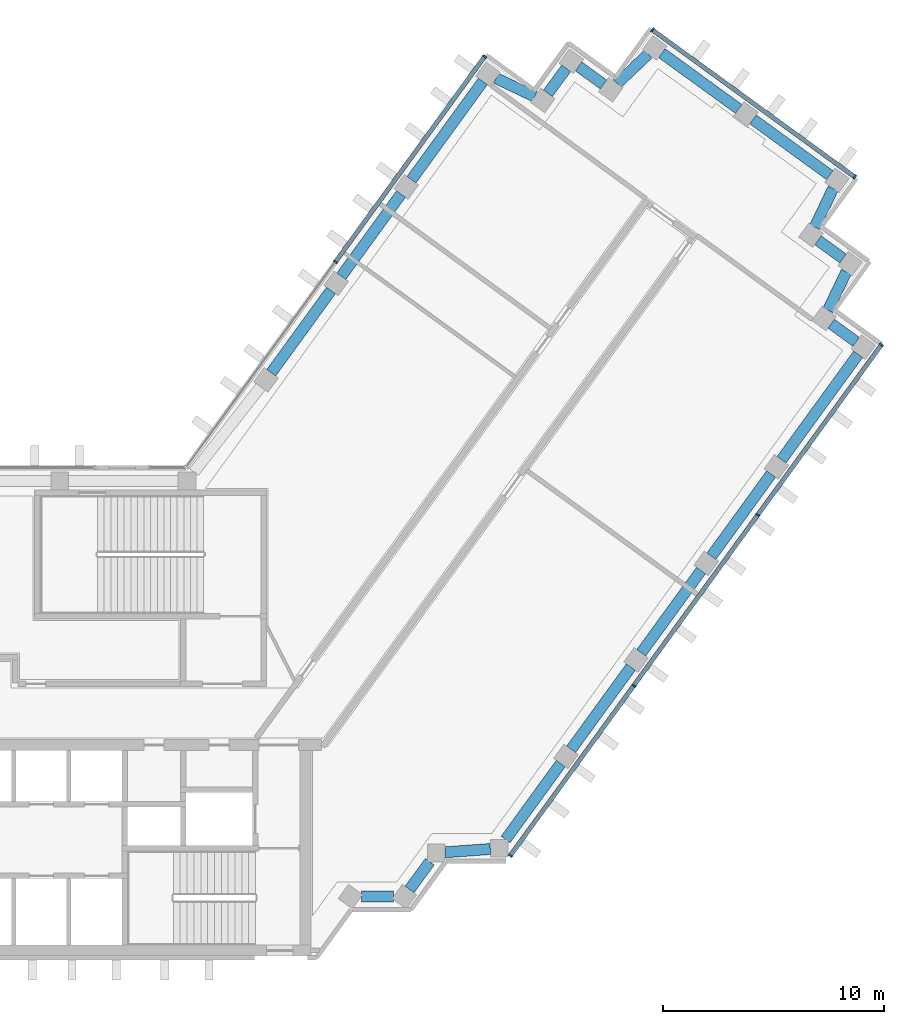
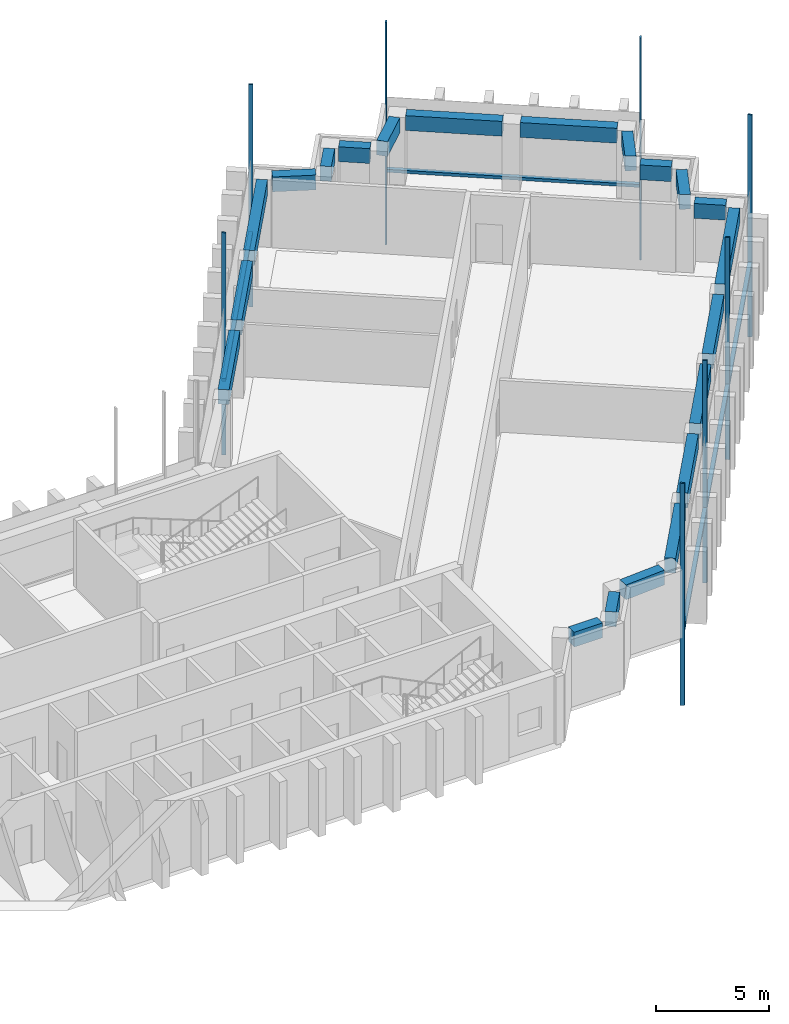
# One storey, part 5 of 13: 21 beams, 13 members, 3 elements without a shape of their own.
"""IFC4 building model written with IfcOpenShell, lengths in metres."""

from ifc_helpers import new_model, si_unit, direction, frame, origin, origin_2d, place, context, subcontext, project, spatial, rectangle, extrude, material, material_profile, profile_set, type_object, element, aggregate, save


model = new_model("IFC4")

# Units and contexts
model_context = context("Model", 3, precision=1e-05, world=origin(), true_north=direction((0.0, 1.0)))
body_context = subcontext(model_context, "Body", "Model", "MODEL_VIEW")
ifc_project = project(units=[si_unit("LENGTHUNIT", "METRE"), si_unit("AREAUNIT", "SQUARE_METRE"), si_unit("VOLUMEUNIT", "CUBIC_METRE"), si_unit("PLANEANGLEUNIT", "RADIAN"), si_unit("MASSUNIT", "GRAM", prefix="KILO")], contexts=[model_context])

# Site, building, storey
site_placement = place(None, origin())
site = spatial("IfcSite", under=ifc_project, at=site_placement, CompositionType="ELEMENT")
building_placement = place(site_placement, origin())
building = spatial("IfcBuilding", under=site, at=building_placement, Name="Quipu Civic Tower", CompositionType="ELEMENT")
storey_placement = place(building_placement, frame((0.0, 0.0, 172.0)))
storey = spatial("IfcBuildingStorey", under=building, at=storey_placement, Name="L40", CompositionType="ELEMENT", Elevation=172.0)

# Curtain wall, members
ifc_material_1 = material(Name="Insulated glass unit", Category="glass")
curtain_wall_type = type_object("IfcCurtainWallType", Name="Office curtain wall CW1", PredefinedType="NOTDEFINED", material=ifc_material_1)
curtain_wall_1_placement = place(storey_placement, origin())
curtain_wall_1 = element("IfcCurtainWall", 1, at=curtain_wall_1_placement, inside=storey, type_object=curtain_wall_type, Name="Office curtain wall CW1 L39 run 20", PredefinedType="NOTDEFINED")
ifc_material_2 = material(Name="Anodised aluminium", Category="aluminium")
ifc_material_profile_1 = material_profile(ifc_material_2, rectangle(XDim=0.199951171875, YDim=0.080078125, at=origin_2d()), Name="RECT 200x80")
ifc_profile_set_1 = profile_set([ifc_material_profile_1], Name="Anodised aluminium")
member_type_1 = type_object("IfcMemberType", Name="Mullion CW1", PredefinedType="MULLION", material=ifc_profile_set_1)
member_1_placement = place(storey_placement, frame((29.029296875, -6.45654296875, -3.919921875), z_axis=(0.0, 0.0, 1.0), x_axis=(-0.80901667469, 0.5877856923, 0.0)))
member_1 = element("IfcMember", 2, at=member_1_placement, type_object=member_type_1, Name="CW1 mullion 1", PredefinedType="MULLION", context=body_context, shape_type="SweptSolid", body=[
    extrude(rectangle(XDim=0.199951171875, YDim=0.080078125, at=origin_2d()), origin(), (0.0, 0.0, 1.0), 12.0),
])
member_2_placement = place(storey_placement, frame((34.620361328125, 1.23876953125, -3.919921875), z_axis=(0.0, 0.0, 1.0), x_axis=(-0.80901667469, 0.5877856923, 0.0)))
member_2 = element("IfcMember", 3, at=member_2_placement, type_object=member_type_1, Name="CW1 mullion 2", PredefinedType="MULLION", context=body_context, shape_type="SweptSolid", body=[
    extrude(rectangle(XDim=0.199951171875, YDim=0.080078125, at=origin_2d()), origin(), (0.0, 0.0, 1.0), 12.0),
])
member_3_placement = place(storey_placement, frame((40.23486328125, 8.966552734375, -3.919921875), z_axis=(0.0, 0.0, 1.0), x_axis=(-0.80901667469, 0.5877856923, 0.0)))
member_3 = element("IfcMember", 4, at=member_3_placement, type_object=member_type_1, Name="CW1 mullion 3", PredefinedType="MULLION", context=body_context, shape_type="SweptSolid", body=[
    extrude(rectangle(XDim=0.199951171875, YDim=0.080078125, at=origin_2d()), origin(), (0.0, 0.0, 1.0), 12.0),
])
member_4_placement = place(storey_placement, frame((45.825927734375, 16.661865234375, -3.919921875), z_axis=(0.0, 0.0, 1.0), x_axis=(-0.80901667469, 0.5877856923, 0.0)))
member_4 = element("IfcMember", 5, at=member_4_placement, type_object=member_type_1, Name="CW1 mullion 4", PredefinedType="MULLION", context=body_context, shape_type="SweptSolid", body=[
    extrude(rectangle(XDim=0.199951171875, YDim=0.080078125, at=origin_2d()), origin(), (0.0, 0.0, 1.0), 12.0),
])

curtain_wall_2_placement = place(storey_placement, origin())
curtain_wall_2 = element("IfcCurtainWall", 6, at=curtain_wall_2_placement, inside=storey, type_object=curtain_wall_type, Name="Office curtain wall CW1 L39 run 25", PredefinedType="NOTDEFINED")
member_5_placement = place(storey_placement, frame((44.62255859375, 24.260498046875, -3.919921875), z_axis=(0.0, 0.0, 1.0), x_axis=(-0.587787753918, -0.809015176832, 0.0)))
member_5 = element("IfcMember", 7, at=member_5_placement, type_object=member_type_1, Name="CW1 mullion 1", PredefinedType="MULLION", context=body_context, shape_type="SweptSolid", body=[
    extrude(rectangle(XDim=0.199951171875, YDim=0.080078125, at=origin_2d()), origin(), (0.0, 0.0, 1.0), 12.0),
])
member_6_placement = place(storey_placement, frame((35.46435546875, 30.914306640625, -3.919921875), z_axis=(0.0, 0.0, 1.0), x_axis=(-0.587787753918, -0.809015176832, 0.0)))
member_6 = element("IfcMember", 8, at=member_6_placement, type_object=member_type_1, Name="CW1 mullion 2", PredefinedType="MULLION", context=body_context, shape_type="SweptSolid", body=[
    extrude(rectangle(XDim=0.199951171875, YDim=0.080078125, at=origin_2d()), origin(), (0.0, 0.0, 1.0), 12.0),
])

curtain_wall_3_placement = place(storey_placement, origin())
curtain_wall_3 = element("IfcCurtainWall", 9, at=curtain_wall_3_placement, inside=storey, type_object=curtain_wall_type, Name="Office curtain wall CW1 L39 run 30", PredefinedType="NOTDEFINED")
member_7_placement = place(storey_placement, frame((27.865966796875, 29.7109375, -3.919921875), z_axis=(0.0, 0.0, 1.0), x_axis=(0.809014469803, -0.587788727052, 0.0)))
member_7 = element("IfcMember", 10, at=member_7_placement, type_object=member_type_1, Name="CW1 mullion 1", PredefinedType="MULLION", context=body_context, shape_type="SweptSolid", body=[
    extrude(rectangle(XDim=0.199951171875, YDim=0.080078125, at=origin_2d()), origin(), (0.0, 0.0, 1.0), 12.0),
])
member_8_placement = place(storey_placement, frame((21.11669921875, 20.421630859375, -3.919921875), z_axis=(0.0, 0.0, 1.0), x_axis=(0.809014469803, -0.587788727052, 0.0)))
member_8 = element("IfcMember", 11, at=member_8_placement, type_object=member_type_1, Name="CW1 mullion 2", PredefinedType="MULLION", context=body_context, shape_type="SweptSolid", body=[
    extrude(rectangle(XDim=0.199951171875, YDim=0.080078125, at=origin_2d()), origin(), (0.0, 0.0, 1.0), 12.0),
])

# Beams
ifc_material_3 = material(Name="Concrete C50/60", Category="concrete")
ifc_material_profile_2 = material_profile(ifc_material_3, rectangle(XDim=0.5, YDim=0.800048828125, at=origin_2d()), Name="RC500x800")
ifc_profile_set_2 = profile_set([ifc_material_profile_2], Name="Concrete C50/60")
beam_type = type_object("IfcBeamType", Name="Spandrel beam RC 500x800 C50/60", PredefinedType="SPANDREL", material=ifc_profile_set_2)
beam_1_placement = place(storey_placement, frame((22.2861328125, -8.31494140625, 3.25), z_axis=(1.0, 0.0, 0.0), x_axis=(0.0, 1.0, 0.0)))
element("IfcBeam", 12, at=beam_1_placement, inside=storey, type_object=beam_type, Name="Spandrel beam L40 J-Eo.1 to J-Eo.2", PredefinedType="SPANDREL", context=body_context, shape_type="SweptSolid", body=[
    extrude(rectangle(XDim=0.5, YDim=0.800048828125, at=origin_2d()), origin(), (0.0, 0.0, 1.0), 1.454345703125),
])
beam_2_placement = place(storey_placement, frame((24.470458984375, -7.991455078125, 3.25), z_axis=(0.588405601119, 0.808565920981, 0.0), x_axis=(-0.808565920981, 0.588405601119, 0.0)))
element("IfcBeam", 13, at=beam_2_placement, inside=storey, type_object=beam_type, Name="Spandrel beam L40 J-Eo.2 to J-Eo.3", PredefinedType="SPANDREL", context=body_context, shape_type="SweptSolid", body=[
    extrude(rectangle(XDim=0.5, YDim=0.800048828125, at=origin_2d()), origin(), (0.0, 0.0, 1.0), 1.55126953125),
])
beam_3_placement = place(storey_placement, frame((26.074462890625, -6.307861328125, 3.25), z_axis=(0.997372997143, 0.072436900614, 0.0), x_axis=(-0.072436900614, 0.997372997143, 0.0)))
element("IfcBeam", 14, at=beam_3_placement, inside=storey, type_object=beam_type, Name="Spandrel beam L40 J-Eo.3 to J-Eo.4", PredefinedType="SPANDREL", context=body_context, shape_type="SweptSolid", body=[
    extrude(rectangle(XDim=0.5, YDim=0.800048828125, at=origin_2d()), origin(), (0.0, 0.0, 1.0), 2.055908203125),
])
beam_4_placement = place(storey_placement, frame((28.815673828125, -5.72998046875, 3.25), z_axis=(0.58776850526, 0.809029161541, 0.0), x_axis=(-0.809029161541, 0.58776850526, 0.0)))
element("IfcBeam", 15, at=beam_4_placement, inside=storey, type_object=beam_type, Name="Spandrel beam L40 J-Eo.4 to E-OUT-01", PredefinedType="SPANDREL", context=body_context, shape_type="SweptSolid", body=[
    extrude(rectangle(XDim=0.5, YDim=0.800048828125, at=origin_2d()), origin(), (0.0, 0.0, 1.0), 4.249267578125),
])
beam_5_placement = place(storey_placement, frame((31.783447265625, -1.64501953125, 3.25), z_axis=(0.587796098864, 0.809009113768, 0.0), x_axis=(-0.809009113768, 0.587796098864, 0.0)))
element("IfcBeam", 16, at=beam_5_placement, inside=storey, type_object=beam_type, Name="Spandrel beam L40 E-OUT-01 to E-OUT-02", PredefinedType="SPANDREL", context=body_context, shape_type="SweptSolid", body=[
    extrude(rectangle(XDim=0.5, YDim=0.800048828125, at=origin_2d()), origin(), (0.0, 0.0, 1.0), 4.60009765625),
])
beam_6_placement = place(storey_placement, frame((34.95751953125, 2.7236328125, 3.25), z_axis=(0.58776136044, 0.809034352283, 0.0), x_axis=(-0.809034352283, 0.58776136044, 0.0)))
element("IfcBeam", 17, at=beam_6_placement, inside=storey, type_object=beam_type, Name="Spandrel beam L40 E-OUT-02 to E-OUT-03", PredefinedType="SPANDREL", context=body_context, shape_type="SweptSolid", body=[
    extrude(rectangle(XDim=0.5, YDim=0.800048828125, at=origin_2d()), origin(), (0.0, 0.0, 1.0), 4.599853515625),
])
beam_7_placement = place(storey_placement, frame((38.13134765625, 7.09228515625, 3.25), z_axis=(0.587770861189, 0.809027449928, 0.0), x_axis=(-0.809027449928, 0.587770861189, 0.0)))
element("IfcBeam", 18, at=beam_7_placement, inside=storey, type_object=beam_type, Name="Spandrel beam L40 E-OUT-03 to E-OUT-04", PredefinedType="SPANDREL", context=body_context, shape_type="SweptSolid", body=[
    extrude(rectangle(XDim=0.5, YDim=0.800048828125, at=origin_2d()), origin(), (0.0, 0.0, 1.0), 4.60009765625),
])
beam_8_placement = place(storey_placement, frame((41.305419921875, 11.461181640625, 3.25), z_axis=(0.58780026889, 0.809006083965, 0.0), x_axis=(-0.809006083965, 0.58780026889, 0.0)))
element("IfcBeam", 19, at=beam_8_placement, inside=storey, type_object=beam_type, Name="Spandrel beam L40 E-OUT-04 to T-Eo.0-E34", PredefinedType="SPANDREL", context=body_context, shape_type="SweptSolid", body=[
    extrude(rectangle(XDim=0.5, YDim=0.800048828125, at=origin_2d()), origin(), (0.0, 0.0, 1.0), 5.902587890625),
])
beam_9_placement = place(storey_placement, frame((44.6865234375, 16.79541015625, 3.25), z_axis=(-0.808600329101, 0.588358315805, 0.0), x_axis=(-0.588358315805, -0.808600329101, 0.0)))
element("IfcBeam", 20, at=beam_9_placement, inside=storey, type_object=beam_type, Name="Spandrel beam L40 T-Eo.0-E34 to T-Eo.1-E34", PredefinedType="SPANDREL", context=body_context, shape_type="SweptSolid", body=[
    extrude(rectangle(XDim=0.5, YDim=0.800048828125, at=origin_2d()), origin(), (0.0, 0.0, 1.0), 1.400146484375),
])
beam_10_placement = place(storey_placement, frame((43.40625, 18.2216796875, 3.25), z_axis=(0.430785642718, 0.902454281406, 0.0), x_axis=(-0.902454281406, 0.430785642718, 0.0)))
element("IfcBeam", 21, at=beam_10_placement, inside=storey, type_object=beam_type, Name="Spandrel beam L40 T-Eo.1-E34 to T-Eo.2-E34", PredefinedType="SPANDREL", context=body_context, shape_type="SweptSolid", body=[
    extrude(rectangle(XDim=0.5, YDim=0.800048828125, at=origin_2d()), origin(), (0.0, 0.0, 1.0), 1.934814453125),
])
beam_11_placement = place(storey_placement, frame((44.09130859375, 20.56982421875, 3.25), z_axis=(-0.809467380413, 0.587164849125, 0.0), x_axis=(-0.587164849125, -0.809467380413, 0.0)))
element("IfcBeam", 22, at=beam_11_placement, inside=storey, type_object=beam_type, Name="Spandrel beam L40 T-Eo.2-E34 to T-Eo.3-E34", PredefinedType="SPANDREL", context=body_context, shape_type="SweptSolid", body=[
    extrude(rectangle(XDim=0.5, YDim=0.800048828125, at=origin_2d()), origin(), (0.0, 0.0, 1.0), 1.399169921875),
])
beam_12_placement = place(storey_placement, frame((42.809814453125, 21.99365234375, 3.25), z_axis=(0.429889421342, 0.902881545618, 0.0), x_axis=(-0.902881545618, 0.429889421342, 0.0)))
element("IfcBeam", 23, at=beam_12_placement, inside=storey, type_object=beam_type, Name="Spandrel beam L40 T-Eo.3-E34 to T-Eo.4-E34", PredefinedType="SPANDREL", context=body_context, shape_type="SweptSolid", body=[
    extrude(rectangle(XDim=0.5, YDim=0.800048828125, at=origin_2d()), origin(), (0.0, 0.0, 1.0), 1.931396484375),
])
beam_13_placement = place(storey_placement, frame((43.491455078125, 24.340087890625, 3.25), z_axis=(-0.808947267178, 0.587881211578, 0.0), x_axis=(-0.587881211578, -0.808947267178, 0.0)))
element("IfcBeam", 24, at=beam_13_placement, inside=storey, type_object=beam_type, Name="Spandrel beam L40 T-Eo.4-E34 to TIP-E-01-E34", PredefinedType="SPANDREL", context=body_context, shape_type="SweptSolid", body=[
    extrude(rectangle(XDim=0.5, YDim=0.800048828125, at=origin_2d()), origin(), (0.0, 0.0, 1.0), 4.29833984375),
])
beam_14_placement = place(storey_placement, frame((39.3671875, 27.337158203125, 3.25), z_axis=(-0.808983997561, 0.58783066583, 0.0), x_axis=(-0.58783066583, -0.808983997561, 0.0)))
element("IfcBeam", 25, at=beam_14_placement, inside=storey, type_object=beam_type, Name="Spandrel beam L40 TIP-E-01-E34 to T-Ei.0-E34", PredefinedType="SPANDREL", context=body_context, shape_type="SweptSolid", body=[
    extrude(rectangle(XDim=0.5, YDim=0.800048828125, at=origin_2d()), origin(), (0.0, 0.0, 1.0), 4.2998046875),
])
beam_15_placement = place(storey_placement, frame((35.27001953125, 29.81982421875, 3.25), z_axis=(-0.72519185421, -0.68854685722, 0.0), x_axis=(0.68854685722, -0.72519185421, 0.0)))
element("IfcBeam", 26, at=beam_15_placement, inside=storey, type_object=beam_type, Name="Spandrel beam L40 T-Ei.0-E34 to T-Ei.1-E34", PredefinedType="SPANDREL", context=body_context, shape_type="SweptSolid", body=[
    extrude(rectangle(XDim=0.5, YDim=0.800048828125, at=origin_2d()), origin(), (0.0, 0.0, 1.0), 1.93212890625),
])
beam_16_placement = place(storey_placement, frame((33.250244140625, 28.4443359375, 3.25), z_axis=(-0.80941533633, 0.587236590578, 0.0), x_axis=(-0.587236590578, -0.80941533633, 0.0)))
element("IfcBeam", 27, at=beam_16_placement, inside=storey, type_object=beam_type, Name="Spandrel beam L40 T-Ei.1-E34 to T-Ei.2-E34", PredefinedType="SPANDREL", context=body_context, shape_type="SweptSolid", body=[
    extrude(rectangle(XDim=0.5, YDim=0.800048828125, at=origin_2d()), origin(), (0.0, 0.0, 1.0), 1.397705078125),
])
beam_17_placement = place(storey_placement, frame((31.559326171875, 29.1767578125, 3.25), z_axis=(-0.589342949835, -0.80788296645, 0.0), x_axis=(0.80788296645, -0.589342949835, 0.0)))
element("IfcBeam", 28, at=beam_17_placement, inside=storey, type_object=beam_type, Name="Spandrel beam L40 T-Ei.2-E34 to T-Ei.3-E34", PredefinedType="SPANDREL", context=body_context, shape_type="SweptSolid", body=[
    extrude(rectangle(XDim=0.5, YDim=0.800048828125, at=origin_2d()), origin(), (0.0, 0.0, 1.0), 1.39990234375),
])
beam_18_placement = place(storey_placement, frame((30.131591796875, 27.89794921875, 3.25), z_axis=(-0.902584802379, 0.430512107279, 0.0), x_axis=(-0.430512107279, -0.902584802379, 0.0)))
element("IfcBeam", 29, at=beam_18_placement, inside=storey, type_object=beam_type, Name="Spandrel beam L40 T-Ei.3-E34 to T-Ei.4-E34", PredefinedType="SPANDREL", context=body_context, shape_type="SweptSolid", body=[
    extrude(rectangle(XDim=0.5, YDim=0.800048828125, at=origin_2d()), origin(), (0.0, 0.0, 1.0), 1.9326171875),
])
beam_19_placement = place(storey_placement, frame((27.784912109375, 28.581298828125, 3.25), z_axis=(-0.587664254196, -0.809104890815, 0.0), x_axis=(0.809104890815, -0.587664254196, 0.0)))
element("IfcBeam", 30, at=beam_19_placement, inside=storey, type_object=beam_type, Name="Spandrel beam L40 T-Ei.4-E34 to E-IN-03", PredefinedType="SPANDREL", context=body_context, shape_type="SweptSolid", body=[
    extrude(rectangle(XDim=0.5, YDim=0.800048828125, at=origin_2d()), origin(), (0.0, 0.0, 1.0), 5.493896484375),
])
beam_20_placement = place(storey_placement, frame((24.086181640625, 23.489013671875, 3.25), z_axis=(-0.587736122681, -0.809052686848, 0.0), x_axis=(0.809052686848, -0.587736122681, 0.0)))
element("IfcBeam", 31, at=beam_20_placement, inside=storey, type_object=beam_type, Name="Spandrel beam L40 E-IN-03 to E-IN-02", PredefinedType="SPANDREL", context=body_context, shape_type="SweptSolid", body=[
    extrude(rectangle(XDim=0.5, YDim=0.800048828125, at=origin_2d()), origin(), (0.0, 0.0, 1.0), 4.60009765625),
])
beam_21_placement = place(storey_placement, frame((20.912353515625, 19.1201171875, 3.25), z_axis=(-0.58776136044, -0.809034352283, 0.0), x_axis=(0.809034352283, -0.58776136044, 0.0)))
element("IfcBeam", 32, at=beam_21_placement, inside=storey, type_object=beam_type, Name="Spandrel beam L40 E-IN-02 to E-IN-01", PredefinedType="SPANDREL", context=body_context, shape_type="SweptSolid", body=[
    extrude(rectangle(XDim=0.5, YDim=0.800048828125, at=origin_2d()), origin(), (0.0, 0.0, 1.0), 4.599853515625),
])

# Member
ifc_material_4 = material(Name="Anodised aluminium", Category="aluminium")
ifc_material_profile_3 = material_profile(ifc_material_4, rectangle(XDim=0.199951171875, YDim=0.159912109375, at=origin_2d()), Name="RECT 200x160")
ifc_profile_set_3 = profile_set([ifc_material_profile_3], Name="Anodised aluminium")
member_type_2 = type_object("IfcMemberType", Name="Transom CW1", PredefinedType="USERDEFINED", material=ifc_profile_set_3)
member_9_placement = place(storey_placement, frame((29.052978515625, -6.424072265625, 0.080078125), z_axis=(0.587783783239, 0.809018061703, 0.0), x_axis=(-0.809018061703, 0.587783783239, 0.0)))
member_9 = element("IfcMember", 33, at=member_9_placement, type_object=member_type_2, Name="CW1 transom 1.2", ObjectType="TRANSOM", PredefinedType="USERDEFINED", context=body_context, shape_type="SweptSolid", body=[
    extrude(rectangle(XDim=0.199951171875, YDim=0.159912109375, at=origin_2d()), origin(), (0.0, 0.0, 1.0), 9.431884765625),
])

member_10_placement = place(storey_placement, frame((34.64404296875, 1.271240234375, 0.080078125), z_axis=(0.587773158676, 0.809025780763, 0.0), x_axis=(-0.809025780763, 0.587773158676, 0.0)))
member_10 = element("IfcMember", 34, at=member_10_placement, type_object=member_type_2, Name="CW1 transom 2.2", ObjectType="TRANSOM", PredefinedType="USERDEFINED", context=body_context, shape_type="SweptSolid", body=[
    extrude(rectangle(XDim=0.199951171875, YDim=0.159912109375, at=origin_2d()), origin(), (0.0, 0.0, 1.0), 9.471923828125),
])

member_11_placement = place(storey_placement, frame((40.258544921875, 8.9990234375, 0.080078125), z_axis=(0.587783783239, 0.809018061703, 0.0), x_axis=(-0.809018061703, 0.587783783239, 0.0)))
member_11 = element("IfcMember", 35, at=member_11_placement, type_object=member_type_2, Name="CW1 transom 3.2", ObjectType="TRANSOM", PredefinedType="USERDEFINED", context=body_context, shape_type="SweptSolid", body=[
    extrude(rectangle(XDim=0.199951171875, YDim=0.159912109375, at=origin_2d()), origin(), (0.0, 0.0, 1.0), 9.431884765625),
])

aggregate(curtain_wall_1, [member_1, member_2, member_3, member_4, member_9, member_10, member_11])

member_12_placement = place(storey_placement, frame((44.590087890625, 24.2841796875, 0.080078125), z_axis=(-0.809014959561, 0.587788052963, 0.0), x_axis=(-0.587788052963, -0.809014959561, 0.0)))
member_12 = element("IfcMember", 36, at=member_12_placement, type_object=member_type_2, Name="CW1 transom 1.2", ObjectType="TRANSOM", PredefinedType="USERDEFINED", context=body_context, shape_type="SweptSolid", body=[
    extrude(rectangle(XDim=0.199951171875, YDim=0.159912109375, at=origin_2d()), origin(), (0.0, 0.0, 1.0), 11.239990234375),
])

aggregate(curtain_wall_2, [member_5, member_6, member_12])

member_13_placement = place(storey_placement, frame((27.84228515625, 29.678466796875, 0.080078125), z_axis=(-0.587775682251, -0.809023947331, 0.0), x_axis=(0.809023947331, -0.587775682251, 0.0)))
member_13 = element("IfcMember", 37, at=member_13_placement, type_object=member_type_2, Name="CW1 transom 1.2", ObjectType="TRANSOM", PredefinedType="USERDEFINED", context=body_context, shape_type="SweptSolid", body=[
    extrude(rectangle(XDim=0.199951171875, YDim=0.159912109375, at=origin_2d()), origin(), (0.0, 0.0, 1.0), 11.402099609375),
])

aggregate(curtain_wall_3, [member_7, member_8, member_13])

save(model, "model.ifc")
